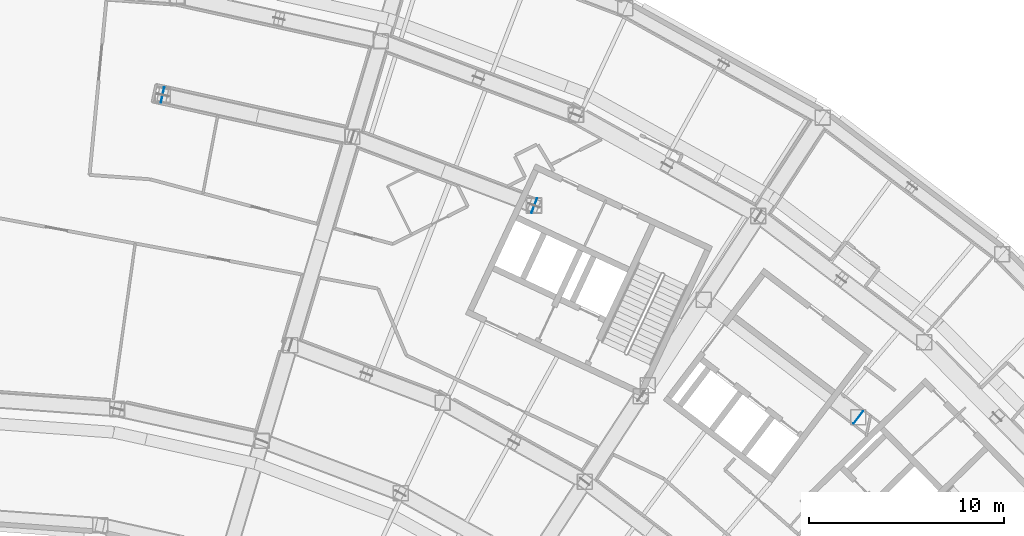
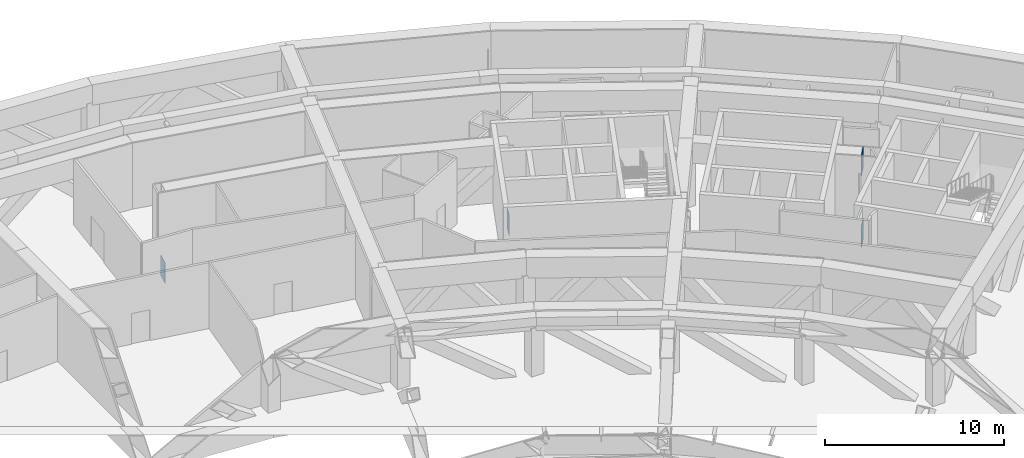
# One storey, part 18 of 30: 4 discrete accessories.
"""IFC4 building model written with IfcOpenShell, lengths in metres."""

from ifc_helpers import new_model, si_unit, direction, frame, origin, origin_2d, place, context, subcontext, project, spatial, rectangle, extrude, material, type_object, element, save


model = new_model("IFC4")

# Units and contexts
model_context = context("Model", 3, precision=1e-05, world=origin(), true_north=direction((0.0, 1.0)))
body_context = subcontext(model_context, "Body", "Model", "MODEL_VIEW")
ifc_project = project(units=[si_unit("LENGTHUNIT", "METRE"), si_unit("AREAUNIT", "SQUARE_METRE"), si_unit("VOLUMEUNIT", "CUBIC_METRE"), si_unit("PLANEANGLEUNIT", "RADIAN"), si_unit("MASSUNIT", "GRAM", prefix="KILO")], contexts=[model_context])

# Site, building, storey
site_placement = place(None, origin())
site = spatial("IfcSite", under=ifc_project, at=site_placement, CompositionType="ELEMENT")
building_placement = place(site_placement, origin())
building = spatial("IfcBuilding", under=site, at=building_placement, Name="Tuul Gate Civic Tower", CompositionType="ELEMENT")
storey_placement = place(building_placement, frame((0.0, 0.0, 26.699951171875)))
storey = spatial("IfcBuildingStorey", under=building, at=storey_placement, Name="Plant and refuge floor 1", CompositionType="ELEMENT", Elevation=26.699951171875)

# Discrete accessories
ifc_material = material(Name="Steel S355", Category="steel")
discrete_accessory_type = type_object("IfcDiscreteAccessoryType", Name="End cap plate", PredefinedType="BRACKET", material=ifc_material)
for number, where, z_axis, x_axis, name in (
    (1, (9.897705078125, 8.0703125, -1.7998046875), (0.0, 0.0, 1.0), (0.976565152543, -0.215221985028, 0.0), "End cap plate"),
    (2, (45.52587890625, -8.435302734375, -1.7998046875), (0.0, 0.0, 1.0), (0.7956241607, -0.605790553665, 0.0), "End cap plate"),
    (3, (45.52587890625, -8.435302734375, 3.10009765625), (0.0, 0.0, 1.0), (0.7956241607, -0.605790553665, 0.0), "End cap plate"),
    (4, (28.927978515625, 2.40771484375, -1.7998046875), (0.0, 0.0, 1.0), (0.935366342935, -0.35368037054, 0.0), "End cap plate"),
):
    element("IfcDiscreteAccessory", number, at=place(storey_placement, frame(where, z_axis=z_axis, x_axis=x_axis)), inside=storey, type_object=discrete_accessory_type, Name=name, PredefinedType="BRACKET", context=body_context, shape_type="SweptSolid", body=[
        extrude(rectangle(XDim=0.030029296875, YDim=0.800048828125, at=origin_2d()), origin(), (0.0, 0.0, 1.0), 1.39990234375),
    ])

save(model, "model.ifc")
